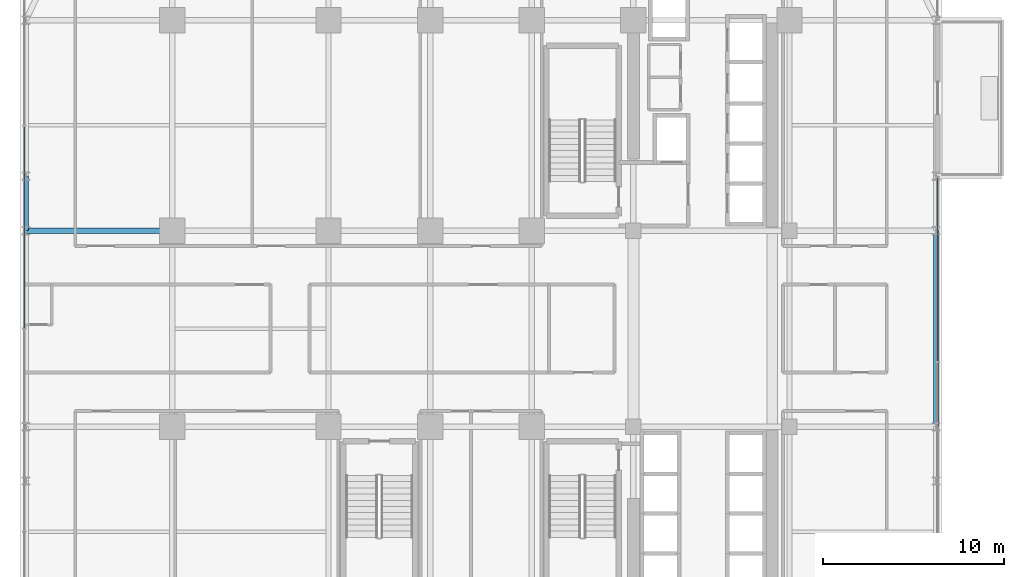
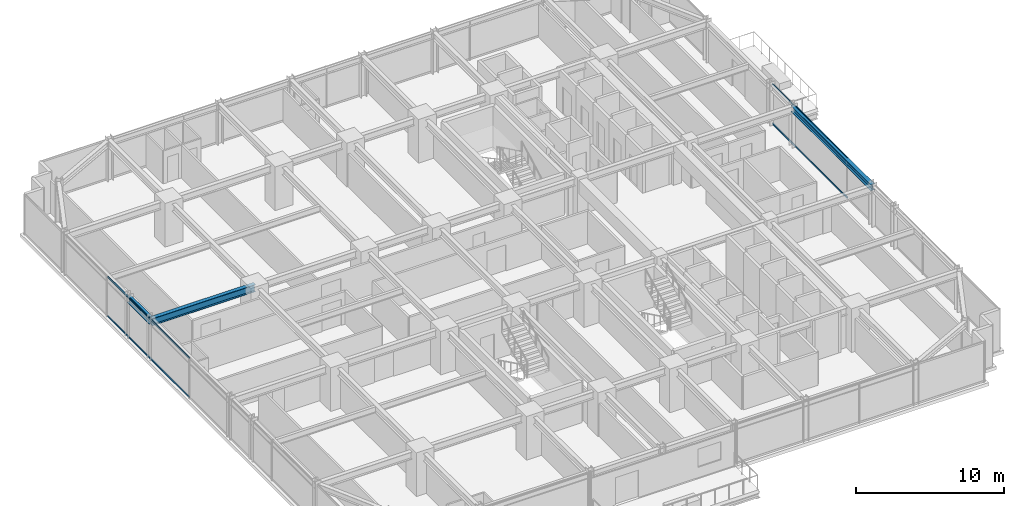
# One storey, part 17 of 36: 4 members, 3 beams, 2 elements without a shape of their own.
"""IFC4 building model written with IfcOpenShell, lengths in metres."""

from ifc_helpers import new_model, si_unit, direction, frame, origin, origin_2d, place, context, subcontext, project, spatial, hollow_rectangle, i_section, extrude, source, transform, mapped, material, material_profile, profile_set, type_object, element, aggregate, save


model = new_model("IFC4")

# Units and contexts
model_context = context("Model", 3, precision=1e-05, world=origin(), true_north=direction((0.0, 1.0)))
body_context = subcontext(model_context, "Body", "Model", "MODEL_VIEW")
ifc_project = project(units=[si_unit("LENGTHUNIT", "METRE"), si_unit("AREAUNIT", "SQUARE_METRE"), si_unit("VOLUMEUNIT", "CUBIC_METRE"), si_unit("PLANEANGLEUNIT", "RADIAN"), si_unit("MASSUNIT", "GRAM", prefix="KILO")], contexts=[model_context])

# Site, building, storey
site_placement = place(None, origin())
site = spatial("IfcSite", under=ifc_project, at=site_placement, CompositionType="ELEMENT")
building_placement = place(site_placement, origin())
building = spatial("IfcBuilding", under=site, at=building_placement, Name="Nahalor Promenade Grand Hotel", CompositionType="ELEMENT")
storey_placement = place(building_placement, frame((0.0, 0.0, 72.550048828125)))
storey = spatial("IfcBuildingStorey", under=building, at=storey_placement, Name="L17", CompositionType="ELEMENT", Elevation=72.550048828125)

# Beams
ifc_material_1 = material(Name="Steel S355JR", Category="steel")
ifc_material_profile_1 = material_profile(ifc_material_1, i_section(OverallWidth=0.3, OverallDepth=0.5, WebThickness=0.0145, FlangeThickness=0.028, at=origin_2d()), Name="HEB 500")
ifc_profile_set_1 = profile_set([ifc_material_profile_1], Name="Steel S355JR")
beam_type_1 = type_object("IfcBeamType", Name="Beam-Spandrel-HEB500", PredefinedType="SPANDREL", material=ifc_profile_set_1)
shared_shape_1 = source(origin(), body_context, "Body", "SweptSolid", [
    extrude(i_section(OverallWidth=0.3, OverallDepth=0.5, WebThickness=0.0145, FlangeThickness=0.028, at=origin_2d()), origin(), (0.0, 0.0, 1.0), 3.0),
])
beam_1_placement = place(storey_placement, frame((-25.080078125, 5.39990234375, 3.119873046875), z_axis=(0.0, 1.0, 0.0), x_axis=(-1.0, 0.0, 0.0)))
element("IfcBeam", 1, at=beam_1_placement, inside=storey, type_object=beam_type_1, Name="BM-L17-SP-W-3", PredefinedType="SPANDREL", context=body_context, shape_type="MappedRepresentation", body=[
    mapped(shared_shape_1, transform((0.0, 0.0, 0.0), scale=1.0)),
])
shared_shape_2 = source(origin(), body_context, "Body", "SweptSolid", [
    extrude(i_section(OverallWidth=0.3, OverallDepth=0.5, WebThickness=0.0145, FlangeThickness=0.028, at=origin_2d()), origin(), (0.0, 0.0, 1.0), 10.7998046875),
])
beam_2_placement = place(storey_placement, frame((25.080078125, -5.39990234375, 3.119873046875), z_axis=(0.0, 1.0, 0.0), x_axis=(-1.0, 0.0, 0.0)))
element("IfcBeam", 2, at=beam_2_placement, inside=storey, type_object=beam_type_1, Name="BM-L17-SP-E-2", PredefinedType="SPANDREL", context=body_context, shape_type="MappedRepresentation", body=[
    mapped(shared_shape_2, transform((0.0, 0.0, 0.0), scale=1.0)),
])
ifc_material_profile_2 = material_profile(ifc_material_1, i_section(OverallWidth=0.3, OverallDepth=0.6, WebThickness=0.0155, FlangeThickness=0.03, at=origin_2d()), Name="HEB 600")
ifc_profile_set_2 = profile_set([ifc_material_profile_2], Name="Steel S355JR")
beam_type_2 = type_object("IfcBeamType", Name="Beam-Girder-HEB600", PredefinedType="BEAM", material=ifc_profile_set_2)
shared_shape_3 = source(origin(), body_context, "Body", "SweptSolid", [
    extrude(i_section(OverallWidth=0.3, OverallDepth=0.6, WebThickness=0.0155, FlangeThickness=0.03, at=origin_2d()), origin(), (0.0, 0.0, 1.0), 8.080078125),
])
beam_3_placement = place(storey_placement, frame((-25.080078125, 5.39990234375, 3.070068359375), z_axis=(1.0, 0.0, 0.0), x_axis=(0.0, 1.0, 0.0)))
element("IfcBeam", 3, at=beam_3_placement, inside=storey, type_object=beam_type_2, Name="BM-L17-GX-2-0", PredefinedType="BEAM", context=body_context, shape_type="MappedRepresentation", body=[
    mapped(shared_shape_3, transform((0.0, 0.0, 0.0), scale=1.0)),
])

# Curtain wall, members
ifc_material_2 = material(Name="Anodised Bronze Aluminium EN AW-6063 T6", Category="aluminium")
curtain_wall_type = type_object("IfcCurtainWallType", Name="CW2 Typical Hotel Flush Bronze Unitised Curtain Wall", PredefinedType="USERDEFINED", material=ifc_material_2)
curtain_wall_1_placement = place(storey_placement, origin())
curtain_wall_1 = element("IfcCurtainWall", 4, at=curtain_wall_1_placement, inside=storey, type_object=curtain_wall_type, Name="L17 Curtain Wall CW-L17-W-1", ObjectType="UNITISED_CURTAIN_WALL", PredefinedType="USERDEFINED")
ifc_material_profile_3 = material_profile(ifc_material_2, hollow_rectangle(XDim=0.065, YDim=0.13, WallThickness=0.004, at=origin_2d()), Name="CWT 65x130x4")
ifc_profile_set_3 = profile_set([ifc_material_profile_3], Name="Anodised Bronze Aluminium EN AW-6063 T6")
member_type = type_object("IfcMemberType", Name="CWT2 Typical Bronze Transom 65x130", PredefinedType="USERDEFINED", material=ifc_profile_set_3)
shared_shape_4 = source(origin(), body_context, "Body", "SweptSolid", [
    extrude(hollow_rectangle(XDim=0.065, YDim=0.13, WallThickness=0.004, at=origin_2d()), origin(), (0.0, 0.0, 1.0), 11.114990234375),
])
member_1_placement = place(storey_placement, frame((-25.159912109375, 0.032470703125, 0.06494140625), z_axis=(0.0, 1.0, 0.0), x_axis=(-1.0, 0.0, 0.0)))
member_1 = element("IfcMember", 5, at=member_1_placement, type_object=member_type, Name="CW-L17-W-1 Transom 2-0", ObjectType="TRANSOM", PredefinedType="USERDEFINED", context=body_context, shape_type="MappedRepresentation", body=[
    mapped(shared_shape_4, transform((0.0, 0.0, 0.0), scale=1.0)),
])
member_2_placement = place(storey_placement, frame((-25.159912109375, 0.032470703125, 3.304931640625), z_axis=(0.0, 1.0, 0.0), x_axis=(-1.0, 0.0, 0.0)))
member_2 = element("IfcMember", 6, at=member_2_placement, type_object=member_type, Name="CW-L17-W-1 Transom 2-1", ObjectType="TRANSOM", PredefinedType="USERDEFINED", context=body_context, shape_type="MappedRepresentation", body=[
    mapped(shared_shape_4, transform((0.0, 0.0, 0.0), scale=1.0)),
])
aggregate(curtain_wall_1, [member_1, member_2])

curtain_wall_2_placement = place(storey_placement, origin())
curtain_wall_2 = element("IfcCurtainWall", 7, at=curtain_wall_2_placement, inside=storey, type_object=curtain_wall_type, Name="L17 Curtain Wall CW-L17-E-1", ObjectType="UNITISED_CURTAIN_WALL", PredefinedType="USERDEFINED")
shared_shape_5 = source(origin(), body_context, "Body", "SweptSolid", [
    extrude(hollow_rectangle(XDim=0.065, YDim=0.13, WallThickness=0.004, at=origin_2d()), origin(), (0.0, 0.0, 1.0), 10.15576171875),
])
member_3_placement = place(storey_placement, frame((25.159912109375, -1.82080078125, 0.06494140625), z_axis=(0.0, 1.0, 0.0), x_axis=(-1.0, 0.0, 0.0)))
member_3 = element("IfcMember", 8, at=member_3_placement, type_object=member_type, Name="CW-L17-E-1 Transom 2-0", ObjectType="TRANSOM", PredefinedType="USERDEFINED", context=body_context, shape_type="MappedRepresentation", body=[
    mapped(shared_shape_5, transform((0.0, 0.0, 0.0), scale=1.0)),
])
member_4_placement = place(storey_placement, frame((25.159912109375, -1.82080078125, 3.304931640625), z_axis=(0.0, 1.0, 0.0), x_axis=(-1.0, 0.0, 0.0)))
member_4 = element("IfcMember", 9, at=member_4_placement, type_object=member_type, Name="CW-L17-E-1 Transom 2-1", ObjectType="TRANSOM", PredefinedType="USERDEFINED", context=body_context, shape_type="MappedRepresentation", body=[
    mapped(shared_shape_5, transform((0.0, 0.0, 0.0), scale=1.0)),
])
aggregate(curtain_wall_2, [member_3, member_4])

save(model, "model.ifc")
